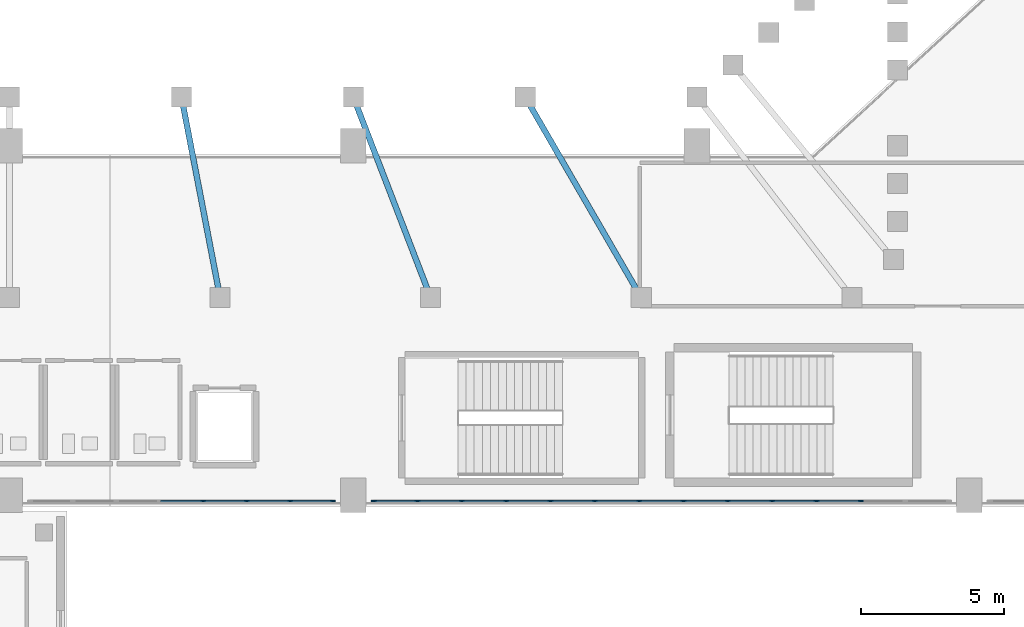
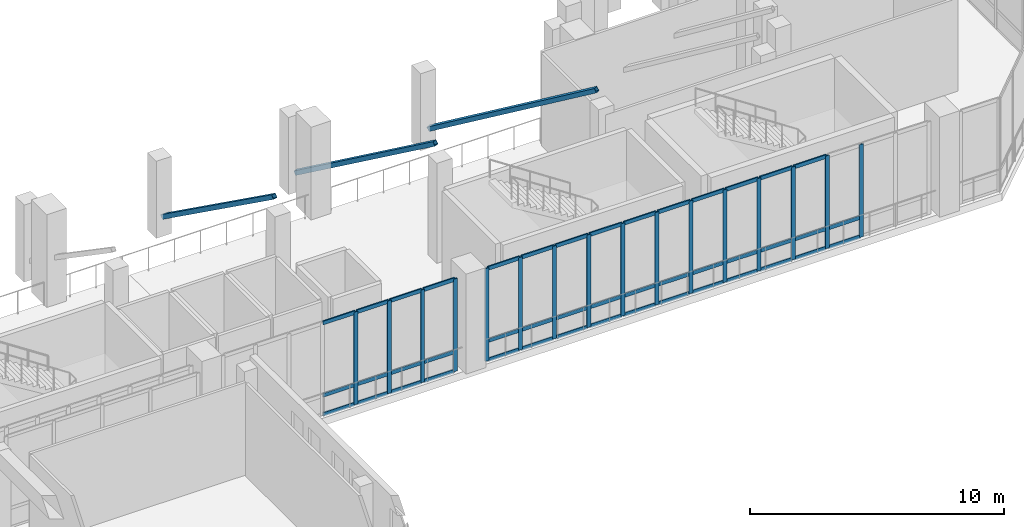
# One storey, part 26 of 126: 63 members, 2 elements without a shape of their own.
"""IFC4 building model written with IfcOpenShell, lengths in metres."""

from ifc_helpers import new_model, si_unit, derived_unit, direction, frame, origin, origin_2d, place, context, subcontext, project, spatial, rectangle, hollow_rectangle, extrude, material, layer, layer_set, material_profile, profile_set, type_object, element, aggregate, save


model = new_model("IFC4")

# Units and contexts
model_context = context("Model", 3, precision=1e-05, world=origin(), true_north=direction((0.0, 1.0)))
body_context = subcontext(model_context, "Body", "Model", "MODEL_VIEW")
ifc_project = project(units=[si_unit("LENGTHUNIT", "METRE"), si_unit("AREAUNIT", "SQUARE_METRE"), si_unit("VOLUMEUNIT", "CUBIC_METRE"), si_unit("PLANEANGLEUNIT", "RADIAN"), si_unit("MASSUNIT", "GRAM", prefix="KILO"), derived_unit("THERMALTRANSMITTANCEUNIT", [(si_unit("MASSUNIT", "GRAM", prefix="KILO"), 1), (si_unit("TIMEUNIT", "SECOND"), -3), (si_unit("THERMODYNAMICTEMPERATUREUNIT", "KELVIN"), -1)])], contexts=[model_context])

# Site, building, storey
site_placement = place(None, origin())
site = spatial("IfcSite", under=ifc_project, at=site_placement, CompositionType="ELEMENT")
building_placement = place(site_placement, origin())
building = spatial("IfcBuilding", under=site, at=building_placement, Name="Valcora Ridge Arena", CompositionType="ELEMENT")
storey_placement = place(building_placement, frame((0.0, 0.0, 11.39990234375)))
storey = spatial("IfcBuildingStorey", under=building, at=storey_placement, Name="L02", CompositionType="ELEMENT", Elevation=11.39990234375)

# Curtain wall, members
ifc_material_1 = material(Name="Anodised dark bronze architectural aluminium 6063-T6", Category="aluminium")
ifc_layer_1 = layer(ifc_material_1, 0.179931640625, Name="Anodised dark bronze architectural aluminium 6063-T6")
ifc_layer_set_1 = layer_set([ifc_layer_1], Name="Anodised dark bronze architectural aluminium 6063-T6")
curtain_wall_type_1 = type_object("IfcCurtainWallType", Name="TY-CURTAINWALL-CW-V1-GOTH-106X44", PredefinedType="NOTDEFINED", material=ifc_layer_set_1)
curtain_wall_1_placement = place(storey_placement, origin())
curtain_wall_1 = element("IfcCurtainWall", 1, at=curtain_wall_1_placement, inside=storey, type_object=curtain_wall_type_1, Name="CW-V1-GOTH-106X44 CW-0121", PredefinedType="NOTDEFINED")
ifc_material_profile_1 = material_profile(ifc_material_1, rectangle(XDim=0.06005859375, YDim=0.179931640625, at=origin_2d()), Name="ALU MULLION 60x180")
ifc_profile_set_1 = profile_set([ifc_material_profile_1], Name="Anodised dark bronze architectural aluminium 6063-T6")
member_type_1 = type_object("IfcMemberType", Name="TY-MEM-CWM-60x180", PredefinedType="MULLION", material=ifc_profile_set_1)
member_1_placement = place(storey_placement, frame((64.758544921875, 20.199951171875, 0.0), z_axis=(0.0, 0.0, 1.0), x_axis=(0.0, 1.0, 0.0)))
member_1 = element("IfcMember", 2, at=member_1_placement, type_object=member_type_1, Name="CW-0121/CWM-60x180/M04", PredefinedType="MULLION", context=body_context, shape_type="SweptSolid", body=[
    extrude(rectangle(XDim=0.06005859375, YDim=0.179931640625, at=origin_2d()), origin(), (0.0, 0.0, 1.0), 4.4501953125),
])
member_2_placement = place(storey_placement, frame((66.275634765625, 20.199951171875, 0.0), z_axis=(0.0, 0.0, 1.0), x_axis=(0.0, 1.0, 0.0)))
member_2 = element("IfcMember", 3, at=member_2_placement, type_object=member_type_1, Name="CW-0121/CWM-60x180/M05", PredefinedType="MULLION", context=body_context, shape_type="SweptSolid", body=[
    extrude(rectangle(XDim=0.06005859375, YDim=0.179931640625, at=origin_2d()), origin(), (0.0, 0.0, 1.0), 4.4501953125),
])
member_3_placement = place(storey_placement, frame((67.79296875, 20.199951171875, 0.0), z_axis=(0.0, 0.0, 1.0), x_axis=(0.0, 1.0, 0.0)))
member_3 = element("IfcMember", 4, at=member_3_placement, type_object=member_type_1, Name="CW-0121/CWM-60x180/M06", PredefinedType="MULLION", context=body_context, shape_type="SweptSolid", body=[
    extrude(rectangle(XDim=0.06005859375, YDim=0.179931640625, at=origin_2d()), origin(), (0.0, 0.0, 1.0), 4.4501953125),
])
member_4_placement = place(storey_placement, frame((69.280029296875, 20.199951171875, 0.0), z_axis=(0.0, 0.0, 1.0), x_axis=(0.0, 1.0, 0.0)))
member_4 = element("IfcMember", 5, at=member_4_placement, type_object=member_type_1, Name="CW-0121/CWM-60x180/M07", PredefinedType="MULLION", context=body_context, shape_type="SweptSolid", body=[
    extrude(rectangle(XDim=0.06005859375, YDim=0.179931640625, at=origin_2d()), origin(), (0.0, 0.0, 1.0), 4.4501953125),
])

ifc_layer_2 = layer(ifc_material_1, 0.179931640625, Name="Anodised dark bronze architectural aluminium 6063-T6")
ifc_layer_set_2 = layer_set([ifc_layer_2], Name="Anodised dark bronze architectural aluminium 6063-T6")
curtain_wall_type_2 = type_object("IfcCurtainWallType", Name="TY-CURTAINWALL-CW-V1-GOTH-201X44", PredefinedType="NOTDEFINED", material=ifc_layer_set_2)
curtain_wall_2_placement = place(storey_placement, origin())
curtain_wall_2 = element("IfcCurtainWall", 6, at=curtain_wall_2_placement, inside=storey, type_object=curtain_wall_type_2, Name="CW-V1-GOTH-201X44 CW-0122", PredefinedType="NOTDEFINED")
member_5_placement = place(storey_placement, frame((70.719970703125, 20.199951171875, 0.0), z_axis=(0.0, 0.0, 1.0), x_axis=(0.0, 1.0, 0.0)))
member_5 = element("IfcMember", 7, at=member_5_placement, type_object=member_type_1, Name="CW-0122/CWM-60x180/M00", PredefinedType="MULLION", context=body_context, shape_type="SweptSolid", body=[
    extrude(rectangle(XDim=0.06005859375, YDim=0.179931640625, at=origin_2d()), origin(), (0.0, 0.0, 1.0), 4.4501953125),
])
member_6_placement = place(storey_placement, frame((72.23779296875, 20.199951171875, 0.0), z_axis=(0.0, 0.0, 1.0), x_axis=(0.0, 1.0, 0.0)))
member_6 = element("IfcMember", 8, at=member_6_placement, type_object=member_type_1, Name="CW-0122/CWM-60x180/M01", PredefinedType="MULLION", context=body_context, shape_type="SweptSolid", body=[
    extrude(rectangle(XDim=0.06005859375, YDim=0.179931640625, at=origin_2d()), origin(), (0.0, 0.0, 1.0), 4.4501953125),
])
member_7_placement = place(storey_placement, frame((73.785400390625, 20.199951171875, 0.0), z_axis=(0.0, 0.0, 1.0), x_axis=(0.0, 1.0, 0.0)))
member_7 = element("IfcMember", 9, at=member_7_placement, type_object=member_type_1, Name="CW-0122/CWM-60x180/M02", PredefinedType="MULLION", context=body_context, shape_type="SweptSolid", body=[
    extrude(rectangle(XDim=0.06005859375, YDim=0.179931640625, at=origin_2d()), origin(), (0.0, 0.0, 1.0), 4.4501953125),
])
member_8_placement = place(storey_placement, frame((75.3330078125, 20.199951171875, 0.0), z_axis=(0.0, 0.0, 1.0), x_axis=(0.0, 1.0, 0.0)))
member_8 = element("IfcMember", 10, at=member_8_placement, type_object=member_type_1, Name="CW-0122/CWM-60x180/M03", PredefinedType="MULLION", context=body_context, shape_type="SweptSolid", body=[
    extrude(rectangle(XDim=0.06005859375, YDim=0.179931640625, at=origin_2d()), origin(), (0.0, 0.0, 1.0), 4.4501953125),
])
member_9_placement = place(storey_placement, frame((76.880859375, 20.199951171875, 0.0), z_axis=(0.0, 0.0, 1.0), x_axis=(0.0, 1.0, 0.0)))
member_9 = element("IfcMember", 11, at=member_9_placement, type_object=member_type_1, Name="CW-0122/CWM-60x180/M04", PredefinedType="MULLION", context=body_context, shape_type="SweptSolid", body=[
    extrude(rectangle(XDim=0.06005859375, YDim=0.179931640625, at=origin_2d()), origin(), (0.0, 0.0, 1.0), 4.4501953125),
])
member_10_placement = place(storey_placement, frame((78.428466796875, 20.199951171875, 0.0), z_axis=(0.0, 0.0, 1.0), x_axis=(0.0, 1.0, 0.0)))
member_10 = element("IfcMember", 12, at=member_10_placement, type_object=member_type_1, Name="CW-0122/CWM-60x180/M05", PredefinedType="MULLION", context=body_context, shape_type="SweptSolid", body=[
    extrude(rectangle(XDim=0.06005859375, YDim=0.179931640625, at=origin_2d()), origin(), (0.0, 0.0, 1.0), 4.4501953125),
])
member_11_placement = place(storey_placement, frame((79.976318359375, 20.199951171875, 0.0), z_axis=(0.0, 0.0, 1.0), x_axis=(0.0, 1.0, 0.0)))
member_11 = element("IfcMember", 13, at=member_11_placement, type_object=member_type_1, Name="CW-0122/CWM-60x180/M06", PredefinedType="MULLION", context=body_context, shape_type="SweptSolid", body=[
    extrude(rectangle(XDim=0.06005859375, YDim=0.179931640625, at=origin_2d()), origin(), (0.0, 0.0, 1.0), 4.4501953125),
])
member_12_placement = place(storey_placement, frame((81.523681640625, 20.199951171875, 0.0), z_axis=(0.0, 0.0, 1.0), x_axis=(0.0, 1.0, 0.0)))
member_12 = element("IfcMember", 14, at=member_12_placement, type_object=member_type_1, Name="CW-0122/CWM-60x180/M07", PredefinedType="MULLION", context=body_context, shape_type="SweptSolid", body=[
    extrude(rectangle(XDim=0.06005859375, YDim=0.179931640625, at=origin_2d()), origin(), (0.0, 0.0, 1.0), 4.4501953125),
])
member_13_placement = place(storey_placement, frame((83.071533203125, 20.199951171875, 0.0), z_axis=(0.0, 0.0, 1.0), x_axis=(0.0, 1.0, 0.0)))
member_13 = element("IfcMember", 15, at=member_13_placement, type_object=member_type_1, Name="CW-0122/CWM-60x180/M08", PredefinedType="MULLION", context=body_context, shape_type="SweptSolid", body=[
    extrude(rectangle(XDim=0.06005859375, YDim=0.179931640625, at=origin_2d()), origin(), (0.0, 0.0, 1.0), 4.4501953125),
])
member_14_placement = place(storey_placement, frame((84.619140625, 20.199951171875, 0.0), z_axis=(0.0, 0.0, 1.0), x_axis=(0.0, 1.0, 0.0)))
member_14 = element("IfcMember", 16, at=member_14_placement, type_object=member_type_1, Name="CW-0122/CWM-60x180/M09", PredefinedType="MULLION", context=body_context, shape_type="SweptSolid", body=[
    extrude(rectangle(XDim=0.06005859375, YDim=0.179931640625, at=origin_2d()), origin(), (0.0, 0.0, 1.0), 4.4501953125),
])
member_15_placement = place(storey_placement, frame((86.1669921875, 20.199951171875, 0.0), z_axis=(0.0, 0.0, 1.0), x_axis=(0.0, 1.0, 0.0)))
member_15 = element("IfcMember", 17, at=member_15_placement, type_object=member_type_1, Name="CW-0122/CWM-60x180/M10", PredefinedType="MULLION", context=body_context, shape_type="SweptSolid", body=[
    extrude(rectangle(XDim=0.06005859375, YDim=0.179931640625, at=origin_2d()), origin(), (0.0, 0.0, 1.0), 4.4501953125),
])
member_16_placement = place(storey_placement, frame((87.714599609375, 20.199951171875, 0.0), z_axis=(0.0, 0.0, 1.0), x_axis=(0.0, 1.0, 0.0)))
member_16 = element("IfcMember", 18, at=member_16_placement, type_object=member_type_1, Name="CW-0122/CWM-60x180/M11", PredefinedType="MULLION", context=body_context, shape_type="SweptSolid", body=[
    extrude(rectangle(XDim=0.06005859375, YDim=0.179931640625, at=origin_2d()), origin(), (0.0, 0.0, 1.0), 4.4501953125),
])

# Member
ifc_material_profile_2 = material_profile(ifc_material_1, rectangle(XDim=0.06005859375, YDim=0.179931640625, at=origin_2d()), Name="ALU TRANSOM 60x180")
ifc_profile_set_2 = profile_set([ifc_material_profile_2], Name="Anodised dark bronze architectural aluminium 6063-T6")
member_type_2 = type_object("IfcMemberType", Name="TY-MEM-CWT-60x180", PredefinedType="USERDEFINED", material=ifc_profile_set_2)
member_17_placement = place(storey_placement, frame((63.27099609375, 20.199951171875, 0.030029296875), z_axis=(1.0, 0.0, 0.0), x_axis=(0.0, 1.0, 0.0)))
member_17 = element("IfcMember", 19, at=member_17_placement, type_object=member_type_2, Name="CW-0121/CWT-60x180/T03-00", ObjectType="TRANSOM", PredefinedType="USERDEFINED", context=body_context, shape_type="SweptSolid", body=[
    extrude(rectangle(XDim=0.06005859375, YDim=0.179931640625, at=origin_2d()), origin(), (0.0, 0.0, 1.0), 1.4580078125),
])

member_18_placement = place(storey_placement, frame((63.27099609375, 20.199951171875, 0.9501953125), z_axis=(1.0, 0.0, 0.0), x_axis=(0.0, 1.0, 0.0)))
member_18 = element("IfcMember", 20, at=member_18_placement, type_object=member_type_2, Name="CW-0121/CWT-60x180/T03-01", ObjectType="TRANSOM", PredefinedType="USERDEFINED", context=body_context, shape_type="SweptSolid", body=[
    extrude(rectangle(XDim=0.06005859375, YDim=0.179931640625, at=origin_2d()), origin(), (0.0, 0.0, 1.0), 1.4580078125),
])

member_19_placement = place(storey_placement, frame((63.27099609375, 20.199951171875, 4.420166015625), z_axis=(1.0, 0.0, 0.0), x_axis=(0.0, 1.0, 0.0)))
member_19 = element("IfcMember", 21, at=member_19_placement, type_object=member_type_2, Name="CW-0121/CWT-60x180/T03-02", ObjectType="TRANSOM", PredefinedType="USERDEFINED", context=body_context, shape_type="SweptSolid", body=[
    extrude(rectangle(XDim=0.06005859375, YDim=0.179931640625, at=origin_2d()), origin(), (0.0, 0.0, 1.0), 1.4580078125),
])

member_20_placement = place(storey_placement, frame((64.7890625, 20.199951171875, 0.030029296875), z_axis=(1.0, 0.0, 0.0), x_axis=(0.0, 1.0, 0.0)))
member_20 = element("IfcMember", 22, at=member_20_placement, type_object=member_type_2, Name="CW-0121/CWT-60x180/T04-00", ObjectType="TRANSOM", PredefinedType="USERDEFINED", context=body_context, shape_type="SweptSolid", body=[
    extrude(rectangle(XDim=0.06005859375, YDim=0.179931640625, at=origin_2d()), origin(), (0.0, 0.0, 1.0), 1.45703125),
])

member_21_placement = place(storey_placement, frame((64.7890625, 20.199951171875, 0.9501953125), z_axis=(1.0, 0.0, 0.0), x_axis=(0.0, 1.0, 0.0)))
member_21 = element("IfcMember", 23, at=member_21_placement, type_object=member_type_2, Name="CW-0121/CWT-60x180/T04-01", ObjectType="TRANSOM", PredefinedType="USERDEFINED", context=body_context, shape_type="SweptSolid", body=[
    extrude(rectangle(XDim=0.06005859375, YDim=0.179931640625, at=origin_2d()), origin(), (0.0, 0.0, 1.0), 1.45703125),
])

member_22_placement = place(storey_placement, frame((64.7890625, 20.199951171875, 4.420166015625), z_axis=(1.0, 0.0, 0.0), x_axis=(0.0, 1.0, 0.0)))
member_22 = element("IfcMember", 24, at=member_22_placement, type_object=member_type_2, Name="CW-0121/CWT-60x180/T04-02", ObjectType="TRANSOM", PredefinedType="USERDEFINED", context=body_context, shape_type="SweptSolid", body=[
    extrude(rectangle(XDim=0.06005859375, YDim=0.179931640625, at=origin_2d()), origin(), (0.0, 0.0, 1.0), 1.45703125),
])

member_23_placement = place(storey_placement, frame((66.305908203125, 20.199951171875, 0.030029296875), z_axis=(1.0, 0.0, 0.0), x_axis=(0.0, 1.0, 0.0)))
member_23 = element("IfcMember", 25, at=member_23_placement, type_object=member_type_2, Name="CW-0121/CWT-60x180/T05-00", ObjectType="TRANSOM", PredefinedType="USERDEFINED", context=body_context, shape_type="SweptSolid", body=[
    extrude(rectangle(XDim=0.06005859375, YDim=0.179931640625, at=origin_2d()), origin(), (0.0, 0.0, 1.0), 1.45703125),
])

member_24_placement = place(storey_placement, frame((66.305908203125, 20.199951171875, 0.9501953125), z_axis=(1.0, 0.0, 0.0), x_axis=(0.0, 1.0, 0.0)))
member_24 = element("IfcMember", 26, at=member_24_placement, type_object=member_type_2, Name="CW-0121/CWT-60x180/T05-01", ObjectType="TRANSOM", PredefinedType="USERDEFINED", context=body_context, shape_type="SweptSolid", body=[
    extrude(rectangle(XDim=0.06005859375, YDim=0.179931640625, at=origin_2d()), origin(), (0.0, 0.0, 1.0), 1.45703125),
])

member_25_placement = place(storey_placement, frame((66.305908203125, 20.199951171875, 4.420166015625), z_axis=(1.0, 0.0, 0.0), x_axis=(0.0, 1.0, 0.0)))
member_25 = element("IfcMember", 27, at=member_25_placement, type_object=member_type_2, Name="CW-0121/CWT-60x180/T05-02", ObjectType="TRANSOM", PredefinedType="USERDEFINED", context=body_context, shape_type="SweptSolid", body=[
    extrude(rectangle(XDim=0.06005859375, YDim=0.179931640625, at=origin_2d()), origin(), (0.0, 0.0, 1.0), 1.45703125),
])

member_26_placement = place(storey_placement, frame((67.822998046875, 20.199951171875, 0.030029296875), z_axis=(1.0, 0.0, 0.0), x_axis=(0.0, 1.0, 0.0)))
member_26 = element("IfcMember", 28, at=member_26_placement, type_object=member_type_2, Name="CW-0121/CWT-60x180/T06-00", ObjectType="TRANSOM", PredefinedType="USERDEFINED", context=body_context, shape_type="SweptSolid", body=[
    extrude(rectangle(XDim=0.06005859375, YDim=0.179931640625, at=origin_2d()), origin(), (0.0, 0.0, 1.0), 1.427001953125),
])

member_27_placement = place(storey_placement, frame((67.822998046875, 20.199951171875, 0.9501953125), z_axis=(1.0, 0.0, 0.0), x_axis=(0.0, 1.0, 0.0)))
member_27 = element("IfcMember", 29, at=member_27_placement, type_object=member_type_2, Name="CW-0121/CWT-60x180/T06-01", ObjectType="TRANSOM", PredefinedType="USERDEFINED", context=body_context, shape_type="SweptSolid", body=[
    extrude(rectangle(XDim=0.06005859375, YDim=0.179931640625, at=origin_2d()), origin(), (0.0, 0.0, 1.0), 1.427001953125),
])

member_28_placement = place(storey_placement, frame((67.822998046875, 20.199951171875, 4.420166015625), z_axis=(1.0, 0.0, 0.0), x_axis=(0.0, 1.0, 0.0)))
member_28 = element("IfcMember", 30, at=member_28_placement, type_object=member_type_2, Name="CW-0121/CWT-60x180/T06-02", ObjectType="TRANSOM", PredefinedType="USERDEFINED", context=body_context, shape_type="SweptSolid", body=[
    extrude(rectangle(XDim=0.06005859375, YDim=0.179931640625, at=origin_2d()), origin(), (0.0, 0.0, 1.0), 1.427001953125),
])

aggregate(curtain_wall_1, [member_1, member_2, member_3, member_4, member_17, member_18, member_19, member_20, member_21, member_22, member_23, member_24, member_25, member_26, member_27, member_28])

member_29_placement = place(storey_placement, frame((70.75, 20.199951171875, 0.030029296875), z_axis=(1.0, 0.0, 0.0), x_axis=(0.0, 1.0, 0.0)))
member_29 = element("IfcMember", 31, at=member_29_placement, type_object=member_type_2, Name="CW-0122/CWT-60x180/T00-00", ObjectType="TRANSOM", PredefinedType="USERDEFINED", context=body_context, shape_type="SweptSolid", body=[
    extrude(rectangle(XDim=0.06005859375, YDim=0.179931640625, at=origin_2d()), origin(), (0.0, 0.0, 1.0), 1.4580078125),
])

member_30_placement = place(storey_placement, frame((70.75, 20.199951171875, 0.9501953125), z_axis=(1.0, 0.0, 0.0), x_axis=(0.0, 1.0, 0.0)))
member_30 = element("IfcMember", 32, at=member_30_placement, type_object=member_type_2, Name="CW-0122/CWT-60x180/T00-01", ObjectType="TRANSOM", PredefinedType="USERDEFINED", context=body_context, shape_type="SweptSolid", body=[
    extrude(rectangle(XDim=0.06005859375, YDim=0.179931640625, at=origin_2d()), origin(), (0.0, 0.0, 1.0), 1.4580078125),
])

member_31_placement = place(storey_placement, frame((70.75, 20.199951171875, 4.420166015625), z_axis=(1.0, 0.0, 0.0), x_axis=(0.0, 1.0, 0.0)))
member_31 = element("IfcMember", 33, at=member_31_placement, type_object=member_type_2, Name="CW-0122/CWT-60x180/T00-02", ObjectType="TRANSOM", PredefinedType="USERDEFINED", context=body_context, shape_type="SweptSolid", body=[
    extrude(rectangle(XDim=0.06005859375, YDim=0.179931640625, at=origin_2d()), origin(), (0.0, 0.0, 1.0), 1.4580078125),
])

member_32_placement = place(storey_placement, frame((72.26806640625, 20.199951171875, 0.030029296875), z_axis=(1.0, 0.0, 0.0), x_axis=(0.0, 1.0, 0.0)))
member_32 = element("IfcMember", 34, at=member_32_placement, type_object=member_type_2, Name="CW-0122/CWT-60x180/T01-00", ObjectType="TRANSOM", PredefinedType="USERDEFINED", context=body_context, shape_type="SweptSolid", body=[
    extrude(rectangle(XDim=0.06005859375, YDim=0.179931640625, at=origin_2d()), origin(), (0.0, 0.0, 1.0), 1.48681640625),
])

member_33_placement = place(storey_placement, frame((72.26806640625, 20.199951171875, 0.9501953125), z_axis=(1.0, 0.0, 0.0), x_axis=(0.0, 1.0, 0.0)))
member_33 = element("IfcMember", 35, at=member_33_placement, type_object=member_type_2, Name="CW-0122/CWT-60x180/T01-01", ObjectType="TRANSOM", PredefinedType="USERDEFINED", context=body_context, shape_type="SweptSolid", body=[
    extrude(rectangle(XDim=0.06005859375, YDim=0.179931640625, at=origin_2d()), origin(), (0.0, 0.0, 1.0), 1.48681640625),
])

member_34_placement = place(storey_placement, frame((72.26806640625, 20.199951171875, 4.420166015625), z_axis=(1.0, 0.0, 0.0), x_axis=(0.0, 1.0, 0.0)))
member_34 = element("IfcMember", 36, at=member_34_placement, type_object=member_type_2, Name="CW-0122/CWT-60x180/T01-02", ObjectType="TRANSOM", PredefinedType="USERDEFINED", context=body_context, shape_type="SweptSolid", body=[
    extrude(rectangle(XDim=0.06005859375, YDim=0.179931640625, at=origin_2d()), origin(), (0.0, 0.0, 1.0), 1.48681640625),
])

member_35_placement = place(storey_placement, frame((73.81494140625, 20.199951171875, 0.030029296875), z_axis=(1.0, 0.0, 0.0), x_axis=(0.0, 1.0, 0.0)))
member_35 = element("IfcMember", 37, at=member_35_placement, type_object=member_type_2, Name="CW-0122/CWT-60x180/T02-00", ObjectType="TRANSOM", PredefinedType="USERDEFINED", context=body_context, shape_type="SweptSolid", body=[
    extrude(rectangle(XDim=0.06005859375, YDim=0.179931640625, at=origin_2d()), origin(), (0.0, 0.0, 1.0), 1.488037109375),
])

member_36_placement = place(storey_placement, frame((73.81494140625, 20.199951171875, 0.9501953125), z_axis=(1.0, 0.0, 0.0), x_axis=(0.0, 1.0, 0.0)))
member_36 = element("IfcMember", 38, at=member_36_placement, type_object=member_type_2, Name="CW-0122/CWT-60x180/T02-01", ObjectType="TRANSOM", PredefinedType="USERDEFINED", context=body_context, shape_type="SweptSolid", body=[
    extrude(rectangle(XDim=0.06005859375, YDim=0.179931640625, at=origin_2d()), origin(), (0.0, 0.0, 1.0), 1.488037109375),
])

member_37_placement = place(storey_placement, frame((73.81494140625, 20.199951171875, 4.420166015625), z_axis=(1.0, 0.0, 0.0), x_axis=(0.0, 1.0, 0.0)))
member_37 = element("IfcMember", 39, at=member_37_placement, type_object=member_type_2, Name="CW-0122/CWT-60x180/T02-02", ObjectType="TRANSOM", PredefinedType="USERDEFINED", context=body_context, shape_type="SweptSolid", body=[
    extrude(rectangle(XDim=0.06005859375, YDim=0.179931640625, at=origin_2d()), origin(), (0.0, 0.0, 1.0), 1.488037109375),
])

member_38_placement = place(storey_placement, frame((75.363037109375, 20.199951171875, 0.030029296875), z_axis=(1.0, 0.0, 0.0), x_axis=(0.0, 1.0, 0.0)))
member_38 = element("IfcMember", 40, at=member_38_placement, type_object=member_type_2, Name="CW-0122/CWT-60x180/T03-00", ObjectType="TRANSOM", PredefinedType="USERDEFINED", context=body_context, shape_type="SweptSolid", body=[
    extrude(rectangle(XDim=0.06005859375, YDim=0.179931640625, at=origin_2d()), origin(), (0.0, 0.0, 1.0), 1.488037109375),
])

member_39_placement = place(storey_placement, frame((75.363037109375, 20.199951171875, 0.9501953125), z_axis=(1.0, 0.0, 0.0), x_axis=(0.0, 1.0, 0.0)))
member_39 = element("IfcMember", 41, at=member_39_placement, type_object=member_type_2, Name="CW-0122/CWT-60x180/T03-01", ObjectType="TRANSOM", PredefinedType="USERDEFINED", context=body_context, shape_type="SweptSolid", body=[
    extrude(rectangle(XDim=0.06005859375, YDim=0.179931640625, at=origin_2d()), origin(), (0.0, 0.0, 1.0), 1.488037109375),
])

member_40_placement = place(storey_placement, frame((75.363037109375, 20.199951171875, 4.420166015625), z_axis=(1.0, 0.0, 0.0), x_axis=(0.0, 1.0, 0.0)))
member_40 = element("IfcMember", 42, at=member_40_placement, type_object=member_type_2, Name="CW-0122/CWT-60x180/T03-02", ObjectType="TRANSOM", PredefinedType="USERDEFINED", context=body_context, shape_type="SweptSolid", body=[
    extrude(rectangle(XDim=0.06005859375, YDim=0.179931640625, at=origin_2d()), origin(), (0.0, 0.0, 1.0), 1.488037109375),
])

member_41_placement = place(storey_placement, frame((76.910888671875, 20.199951171875, 0.030029296875), z_axis=(1.0, 0.0, 0.0), x_axis=(0.0, 1.0, 0.0)))
member_41 = element("IfcMember", 43, at=member_41_placement, type_object=member_type_2, Name="CW-0122/CWT-60x180/T04-00", ObjectType="TRANSOM", PredefinedType="USERDEFINED", context=body_context, shape_type="SweptSolid", body=[
    extrude(rectangle(XDim=0.06005859375, YDim=0.179931640625, at=origin_2d()), origin(), (0.0, 0.0, 1.0), 1.487060546875),
])

member_42_placement = place(storey_placement, frame((76.910888671875, 20.199951171875, 0.9501953125), z_axis=(1.0, 0.0, 0.0), x_axis=(0.0, 1.0, 0.0)))
member_42 = element("IfcMember", 44, at=member_42_placement, type_object=member_type_2, Name="CW-0122/CWT-60x180/T04-01", ObjectType="TRANSOM", PredefinedType="USERDEFINED", context=body_context, shape_type="SweptSolid", body=[
    extrude(rectangle(XDim=0.06005859375, YDim=0.179931640625, at=origin_2d()), origin(), (0.0, 0.0, 1.0), 1.487060546875),
])

member_43_placement = place(storey_placement, frame((76.910888671875, 20.199951171875, 4.420166015625), z_axis=(1.0, 0.0, 0.0), x_axis=(0.0, 1.0, 0.0)))
member_43 = element("IfcMember", 45, at=member_43_placement, type_object=member_type_2, Name="CW-0122/CWT-60x180/T04-02", ObjectType="TRANSOM", PredefinedType="USERDEFINED", context=body_context, shape_type="SweptSolid", body=[
    extrude(rectangle(XDim=0.06005859375, YDim=0.179931640625, at=origin_2d()), origin(), (0.0, 0.0, 1.0), 1.487060546875),
])

member_44_placement = place(storey_placement, frame((78.4580078125, 20.199951171875, 0.030029296875), z_axis=(1.0, 0.0, 0.0), x_axis=(0.0, 1.0, 0.0)))
member_44 = element("IfcMember", 46, at=member_44_placement, type_object=member_type_2, Name="CW-0122/CWT-60x180/T05-00", ObjectType="TRANSOM", PredefinedType="USERDEFINED", context=body_context, shape_type="SweptSolid", body=[
    extrude(rectangle(XDim=0.06005859375, YDim=0.179931640625, at=origin_2d()), origin(), (0.0, 0.0, 1.0), 1.488037109375),
])

member_45_placement = place(storey_placement, frame((78.4580078125, 20.199951171875, 0.9501953125), z_axis=(1.0, 0.0, 0.0), x_axis=(0.0, 1.0, 0.0)))
member_45 = element("IfcMember", 47, at=member_45_placement, type_object=member_type_2, Name="CW-0122/CWT-60x180/T05-01", ObjectType="TRANSOM", PredefinedType="USERDEFINED", context=body_context, shape_type="SweptSolid", body=[
    extrude(rectangle(XDim=0.06005859375, YDim=0.179931640625, at=origin_2d()), origin(), (0.0, 0.0, 1.0), 1.488037109375),
])

member_46_placement = place(storey_placement, frame((78.4580078125, 20.199951171875, 4.420166015625), z_axis=(1.0, 0.0, 0.0), x_axis=(0.0, 1.0, 0.0)))
member_46 = element("IfcMember", 48, at=member_46_placement, type_object=member_type_2, Name="CW-0122/CWT-60x180/T05-02", ObjectType="TRANSOM", PredefinedType="USERDEFINED", context=body_context, shape_type="SweptSolid", body=[
    extrude(rectangle(XDim=0.06005859375, YDim=0.179931640625, at=origin_2d()), origin(), (0.0, 0.0, 1.0), 1.488037109375),
])

member_47_placement = place(storey_placement, frame((80.006103515625, 20.199951171875, 0.030029296875), z_axis=(1.0, 0.0, 0.0), x_axis=(0.0, 1.0, 0.0)))
member_47 = element("IfcMember", 49, at=member_47_placement, type_object=member_type_2, Name="CW-0122/CWT-60x180/T06-00", ObjectType="TRANSOM", PredefinedType="USERDEFINED", context=body_context, shape_type="SweptSolid", body=[
    extrude(rectangle(XDim=0.06005859375, YDim=0.179931640625, at=origin_2d()), origin(), (0.0, 0.0, 1.0), 1.48779296875),
])

member_48_placement = place(storey_placement, frame((80.006103515625, 20.199951171875, 0.9501953125), z_axis=(1.0, 0.0, 0.0), x_axis=(0.0, 1.0, 0.0)))
member_48 = element("IfcMember", 50, at=member_48_placement, type_object=member_type_2, Name="CW-0122/CWT-60x180/T06-01", ObjectType="TRANSOM", PredefinedType="USERDEFINED", context=body_context, shape_type="SweptSolid", body=[
    extrude(rectangle(XDim=0.06005859375, YDim=0.179931640625, at=origin_2d()), origin(), (0.0, 0.0, 1.0), 1.48779296875),
])

member_49_placement = place(storey_placement, frame((80.006103515625, 20.199951171875, 4.420166015625), z_axis=(1.0, 0.0, 0.0), x_axis=(0.0, 1.0, 0.0)))
member_49 = element("IfcMember", 51, at=member_49_placement, type_object=member_type_2, Name="CW-0122/CWT-60x180/T06-02", ObjectType="TRANSOM", PredefinedType="USERDEFINED", context=body_context, shape_type="SweptSolid", body=[
    extrude(rectangle(XDim=0.06005859375, YDim=0.179931640625, at=origin_2d()), origin(), (0.0, 0.0, 1.0), 1.48779296875),
])

member_50_placement = place(storey_placement, frame((81.553955078125, 20.199951171875, 0.030029296875), z_axis=(1.0, 0.0, 0.0), x_axis=(0.0, 1.0, 0.0)))
member_50 = element("IfcMember", 52, at=member_50_placement, type_object=member_type_2, Name="CW-0122/CWT-60x180/T07-00", ObjectType="TRANSOM", PredefinedType="USERDEFINED", context=body_context, shape_type="SweptSolid", body=[
    extrude(rectangle(XDim=0.06005859375, YDim=0.179931640625, at=origin_2d()), origin(), (0.0, 0.0, 1.0), 1.488037109375),
])

member_51_placement = place(storey_placement, frame((81.553955078125, 20.199951171875, 0.9501953125), z_axis=(1.0, 0.0, 0.0), x_axis=(0.0, 1.0, 0.0)))
member_51 = element("IfcMember", 53, at=member_51_placement, type_object=member_type_2, Name="CW-0122/CWT-60x180/T07-01", ObjectType="TRANSOM", PredefinedType="USERDEFINED", context=body_context, shape_type="SweptSolid", body=[
    extrude(rectangle(XDim=0.06005859375, YDim=0.179931640625, at=origin_2d()), origin(), (0.0, 0.0, 1.0), 1.488037109375),
])

member_52_placement = place(storey_placement, frame((81.553955078125, 20.199951171875, 4.420166015625), z_axis=(1.0, 0.0, 0.0), x_axis=(0.0, 1.0, 0.0)))
member_52 = element("IfcMember", 54, at=member_52_placement, type_object=member_type_2, Name="CW-0122/CWT-60x180/T07-02", ObjectType="TRANSOM", PredefinedType="USERDEFINED", context=body_context, shape_type="SweptSolid", body=[
    extrude(rectangle(XDim=0.06005859375, YDim=0.179931640625, at=origin_2d()), origin(), (0.0, 0.0, 1.0), 1.488037109375),
])

member_53_placement = place(storey_placement, frame((83.10205078125, 20.199951171875, 0.030029296875), z_axis=(1.0, 0.0, 0.0), x_axis=(0.0, 1.0, 0.0)))
member_53 = element("IfcMember", 55, at=member_53_placement, type_object=member_type_2, Name="CW-0122/CWT-60x180/T08-00", ObjectType="TRANSOM", PredefinedType="USERDEFINED", context=body_context, shape_type="SweptSolid", body=[
    extrude(rectangle(XDim=0.06005859375, YDim=0.179931640625, at=origin_2d()), origin(), (0.0, 0.0, 1.0), 1.487060546875),
])

member_54_placement = place(storey_placement, frame((83.10205078125, 20.199951171875, 0.9501953125), z_axis=(1.0, 0.0, 0.0), x_axis=(0.0, 1.0, 0.0)))
member_54 = element("IfcMember", 56, at=member_54_placement, type_object=member_type_2, Name="CW-0122/CWT-60x180/T08-01", ObjectType="TRANSOM", PredefinedType="USERDEFINED", context=body_context, shape_type="SweptSolid", body=[
    extrude(rectangle(XDim=0.06005859375, YDim=0.179931640625, at=origin_2d()), origin(), (0.0, 0.0, 1.0), 1.487060546875),
])

member_55_placement = place(storey_placement, frame((83.10205078125, 20.199951171875, 4.420166015625), z_axis=(1.0, 0.0, 0.0), x_axis=(0.0, 1.0, 0.0)))
member_55 = element("IfcMember", 57, at=member_55_placement, type_object=member_type_2, Name="CW-0122/CWT-60x180/T08-02", ObjectType="TRANSOM", PredefinedType="USERDEFINED", context=body_context, shape_type="SweptSolid", body=[
    extrude(rectangle(XDim=0.06005859375, YDim=0.179931640625, at=origin_2d()), origin(), (0.0, 0.0, 1.0), 1.487060546875),
])

member_56_placement = place(storey_placement, frame((84.64892578125, 20.199951171875, 0.030029296875), z_axis=(1.0, 0.0, 0.0), x_axis=(0.0, 1.0, 0.0)))
member_56 = element("IfcMember", 58, at=member_56_placement, type_object=member_type_2, Name="CW-0122/CWT-60x180/T09-00", ObjectType="TRANSOM", PredefinedType="USERDEFINED", context=body_context, shape_type="SweptSolid", body=[
    extrude(rectangle(XDim=0.06005859375, YDim=0.179931640625, at=origin_2d()), origin(), (0.0, 0.0, 1.0), 1.488037109375),
])

member_57_placement = place(storey_placement, frame((84.64892578125, 20.199951171875, 0.9501953125), z_axis=(1.0, 0.0, 0.0), x_axis=(0.0, 1.0, 0.0)))
member_57 = element("IfcMember", 59, at=member_57_placement, type_object=member_type_2, Name="CW-0122/CWT-60x180/T09-01", ObjectType="TRANSOM", PredefinedType="USERDEFINED", context=body_context, shape_type="SweptSolid", body=[
    extrude(rectangle(XDim=0.06005859375, YDim=0.179931640625, at=origin_2d()), origin(), (0.0, 0.0, 1.0), 1.488037109375),
])

member_58_placement = place(storey_placement, frame((84.64892578125, 20.199951171875, 4.420166015625), z_axis=(1.0, 0.0, 0.0), x_axis=(0.0, 1.0, 0.0)))
member_58 = element("IfcMember", 60, at=member_58_placement, type_object=member_type_2, Name="CW-0122/CWT-60x180/T09-02", ObjectType="TRANSOM", PredefinedType="USERDEFINED", context=body_context, shape_type="SweptSolid", body=[
    extrude(rectangle(XDim=0.06005859375, YDim=0.179931640625, at=origin_2d()), origin(), (0.0, 0.0, 1.0), 1.488037109375),
])

member_59_placement = place(storey_placement, frame((86.197021484375, 20.199951171875, 0.030029296875), z_axis=(1.0, 0.0, 0.0), x_axis=(0.0, 1.0, 0.0)))
member_59 = element("IfcMember", 61, at=member_59_placement, type_object=member_type_2, Name="CW-0122/CWT-60x180/T10-00", ObjectType="TRANSOM", PredefinedType="USERDEFINED", context=body_context, shape_type="SweptSolid", body=[
    extrude(rectangle(XDim=0.06005859375, YDim=0.179931640625, at=origin_2d()), origin(), (0.0, 0.0, 1.0), 1.488037109375),
])

member_60_placement = place(storey_placement, frame((86.197021484375, 20.199951171875, 0.9501953125), z_axis=(1.0, 0.0, 0.0), x_axis=(0.0, 1.0, 0.0)))
member_60 = element("IfcMember", 62, at=member_60_placement, type_object=member_type_2, Name="CW-0122/CWT-60x180/T10-01", ObjectType="TRANSOM", PredefinedType="USERDEFINED", context=body_context, shape_type="SweptSolid", body=[
    extrude(rectangle(XDim=0.06005859375, YDim=0.179931640625, at=origin_2d()), origin(), (0.0, 0.0, 1.0), 1.488037109375),
])

aggregate(curtain_wall_2, [member_5, member_6, member_7, member_8, member_9, member_10, member_11, member_12, member_13, member_14, member_15, member_16, member_29, member_30, member_31, member_32, member_33, member_34, member_35, member_36, member_37, member_38, member_39, member_40, member_41, member_42, member_43, member_44, member_45, member_46, member_47, member_48, member_49, member_50, member_51, member_52, member_53, member_54, member_55, member_56, member_57, member_58, member_59, member_60])

# Members
ifc_material_2 = material(Name="Steel ASTM A500 Grade C", Category="steel")
ifc_material_profile_3 = material_profile(ifc_material_2, hollow_rectangle(XDim=0.199951171875, YDim=0.199951171875, WallThickness=0.012451171875, at=origin_2d()), Name="HSS200X200X12")
ifc_profile_set_3 = profile_set([ifc_material_profile_3], Name="Steel ASTM A500 Grade C")
member_type_3 = type_object("IfcMemberType", Name="TY-MEMBER-RKRUD-200", PredefinedType="BRACE", material=ifc_profile_set_3)
member_61_placement = place(storey_placement, frame((64.0439453125, 34.072021484375, 0.8564453125), z_axis=(0.157069850286, -0.814490281884, 0.558511094651), x_axis=(0.981908592897, 0.189355525917, 0.0)))
element("IfcMember", 63, at=member_61_placement, inside=storey, type_object=member_type_3, Name="RKRUD-200 Raker Diagonal Brace", PredefinedType="BRACE", context=body_context, shape_type="SweptSolid", body=[
    extrude(hollow_rectangle(XDim=0.199951171875, YDim=0.199951171875, WallThickness=0.012451171875, at=origin_2d()), origin(), (0.0, 0.0, 1.0), 8.034423828125),
])
member_62_placement = place(storey_placement, frame((70.0849609375, 34.079833984375, 0.85107421875), z_axis=(0.303123322723, -0.785932698856, 0.538911907541), x_axis=(0.933010485699, 0.359849181708, 0.0)))
element("IfcMember", 64, at=member_62_placement, inside=storey, type_object=member_type_3, Name="RKRUD-200 Raker Diagonal Brace", PredefinedType="BRACE", context=body_context, shape_type="SweptSolid", body=[
    extrude(hollow_rectangle(XDim=0.199951171875, YDim=0.199951171875, WallThickness=0.012451171875, at=origin_2d()), origin(), (0.0, 0.0, 1.0), 8.346435546875),
])
member_63_placement = place(storey_placement, frame((76.12060546875, 34.091552734375, 0.843017578125), z_axis=(0.430647784433, -0.744338023667, 0.510395329413), x_axis=(0.865569833072, 0.50078824275, 0.0)))
element("IfcMember", 65, at=member_63_placement, inside=storey, type_object=member_type_3, Name="RKRUD-200 Raker Diagonal Brace", PredefinedType="BRACE", context=body_context, shape_type="SweptSolid", body=[
    extrude(hollow_rectangle(XDim=0.199951171875, YDim=0.199951171875, WallThickness=0.012451171875, at=origin_2d()), origin(), (0.0, 0.0, 1.0), 8.844482421875),
])

save(model, "model.ifc")
